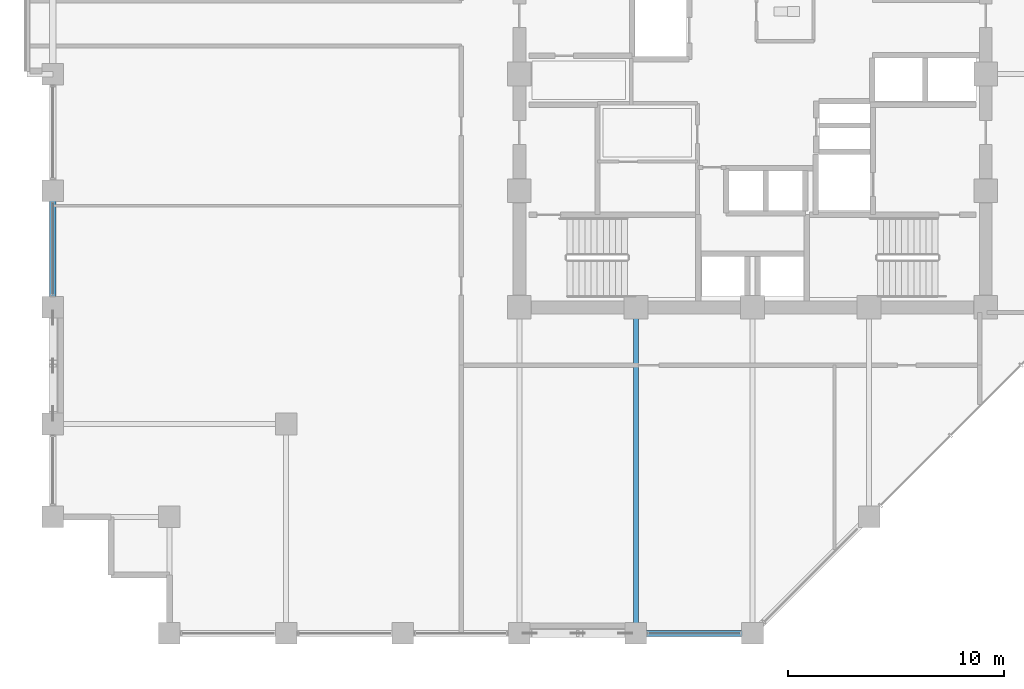
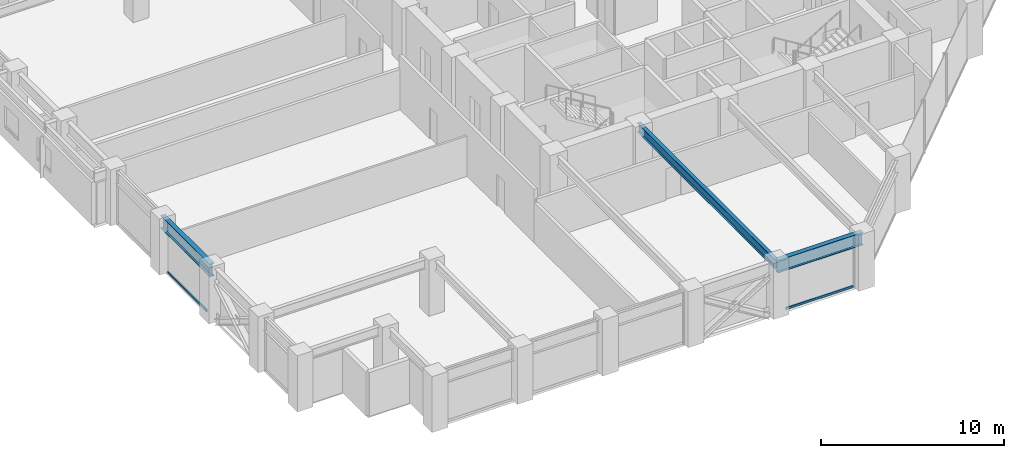
# One storey, part 5 of 26: 3 beams, 2 members, 2 elements without a shape of their own.
"""IFC4 building model written with IfcOpenShell, lengths in metres."""

from ifc_helpers import new_model, si_unit, direction, frame, origin, origin_2d, place, context, subcontext, project, spatial, hollow_rectangle, i_section, extrude, material, layer, layer_set, material_profile, profile_set, type_object, element, aggregate, save


model = new_model("IFC4")

# Units and contexts
model_context = context("Model", 3, precision=1e-05, world=origin(), true_north=direction((0.0, 1.0)))
body_context = subcontext(model_context, "Body", "Model", "MODEL_VIEW")
ifc_project = project(units=[si_unit("LENGTHUNIT", "METRE"), si_unit("AREAUNIT", "SQUARE_METRE"), si_unit("VOLUMEUNIT", "CUBIC_METRE"), si_unit("PLANEANGLEUNIT", "RADIAN"), si_unit("MASSUNIT", "GRAM", prefix="KILO")], contexts=[model_context])

# Site, building, storey
site_placement = place(None, origin())
site = spatial("IfcSite", under=ifc_project, at=site_placement, CompositionType="ELEMENT")
building_placement = place(site_placement, origin())
building = spatial("IfcBuilding", under=site, at=building_placement, Name="Surkhivell Harbour Commons", CompositionType="ELEMENT")
storey_placement = place(building_placement, frame((0.0, 0.0, 147.0)))
storey = spatial("IfcBuildingStorey", under=building, at=storey_placement, Name="L38", CompositionType="ELEMENT", Elevation=147.0)

# Beams
ifc_material_1 = material(Name="Steel S355", Category="steel")
ifc_material_profile_1 = material_profile(ifc_material_1, i_section(OverallWidth=0.22998046875, OverallDepth=0.616943359375, WebThickness=0.01318359375, FlangeThickness=0.022216796875, at=origin_2d()), Name="UB610x229x140")
ifc_profile_set_1 = profile_set([ifc_material_profile_1], Name="Steel S355")
beam_type_1 = type_object("IfcBeamType", Name="BM-GRD-610B", PredefinedType="BEAM", material=ifc_profile_set_1)
beam_1_placement = place(storey_placement, frame((-5.39990234375, -25.89990234375, 3.261474609375), z_axis=(0.0, 1.0, 0.0), x_axis=(-1.0, 0.0, 0.0)))
element("IfcBeam", 1, at=beam_1_placement, inside=storey, type_object=beam_type_1, Name="L38 Floor Girder (-5.4,-25.9)", PredefinedType="BEAM", context=body_context, shape_type="SweptSolid", body=[
    extrude(i_section(OverallWidth=0.22998046875, OverallDepth=0.616943359375, WebThickness=0.01318359375, FlangeThickness=0.022216796875, at=origin_2d()), origin(), (0.0, 0.0, 1.0), 15.099853515625),
])
ifc_material_2 = material(Name="Steel S460", Category="steel")
ifc_material_profile_2 = material_profile(ifc_material_2, i_section(OverallWidth=0.2939453125, OverallDepth=0.85107421875, WebThickness=0.01611328125, FlangeThickness=0.02685546875, at=origin_2d()), Name="UB838x292x226")
ifc_profile_set_2 = profile_set([ifc_material_profile_2], Name="Steel S460")
beam_type_2 = type_object("IfcBeamType", Name="BM-SPN-838", PredefinedType="SPANDREL", material=ifc_profile_set_2)
beam_2_placement = place(storey_placement, frame((-32.39990234375, -10.800048828125, 3.14453125), z_axis=(0.0, 1.0, 0.0), x_axis=(-1.0, 0.0, 0.0)))
element("IfcBeam", 2, at=beam_2_placement, inside=storey, type_object=beam_type_2, Name="L38 Tube Spandrel (-32.4,-10.8)", PredefinedType="SPANDREL", context=body_context, shape_type="SweptSolid", body=[
    extrude(i_section(OverallWidth=0.2939453125, OverallDepth=0.85107421875, WebThickness=0.01611328125, FlangeThickness=0.02685546875, at=origin_2d()), origin(), (0.0, 0.0, 1.0), 5.400146484375),
])
beam_3_placement = place(storey_placement, frame((-5.39990234375, -25.89990234375, 3.14453125), z_axis=(1.0, 0.0, 0.0), x_axis=(0.0, 1.0, 0.0)))
element("IfcBeam", 3, at=beam_3_placement, inside=storey, type_object=beam_type_2, Name="L38 Tube Spandrel (-5.4,-25.9)", PredefinedType="SPANDREL", context=body_context, shape_type="SweptSolid", body=[
    extrude(i_section(OverallWidth=0.2939453125, OverallDepth=0.85107421875, WebThickness=0.01611328125, FlangeThickness=0.02685546875, at=origin_2d()), origin(), (0.0, 0.0, 1.0), 5.39990234375),
])

# Curtain wall, member
ifc_material_3 = material(Name="Anodised pale-metal aluminium and insulated glazing", Category="aluminium")
ifc_layer = layer(ifc_material_3, 0.205078125)
ifc_layer_set = layer_set([ifc_layer], Name="Anodised pale-metal aluminium and insulated glazing")
curtain_wall_type = type_object("IfcCurtainWallType", Name="CW-SYS-Z2", PredefinedType="NOTDEFINED", material=ifc_layer_set)
curtain_wall_1_placement = place(storey_placement, origin())
curtain_wall_1 = element("IfcCurtainWall", 4, at=curtain_wall_1_placement, inside=storey, type_object=curtain_wall_type, Name="L38 Curtain Wall CW-L38-E00S2", PredefinedType="NOTDEFINED")
ifc_material_4 = material(Name="Anodised pale-metal aluminium alloy 6063-T6", Category="aluminium")
ifc_material_profile_3 = material_profile(ifc_material_4, hollow_rectangle(XDim=0.074951171875, YDim=0.14990234375, WallThickness=0.00341796875, at=origin_2d()), Name="ALU-TRAN-75x150")
ifc_profile_set_3 = profile_set([ifc_material_profile_3], Name="Anodised pale-metal aluminium alloy 6063-T6")
member_type = type_object("IfcMemberType", Name="CWT-150", PredefinedType="USERDEFINED", material=ifc_profile_set_3)
member_1_placement = place(storey_placement, frame((-4.822998046875, -25.89990234375, 0.074951171875), z_axis=(1.0, 0.0, 0.0), x_axis=(0.0, 1.0, 0.0)))
member_1 = element("IfcMember", 5, at=member_1_placement, type_object=member_type, Name="CW-Z2 transom 1.1", ObjectType="TRANSOM", PredefinedType="USERDEFINED", context=body_context, shape_type="SweptSolid", body=[
    extrude(hollow_rectangle(XDim=0.074951171875, YDim=0.14990234375, WallThickness=0.00341796875, at=origin_2d()), origin(), (0.0, 0.0, 1.0), 4.24609375),
])
aggregate(curtain_wall_1, [member_1])

curtain_wall_2_placement = place(storey_placement, origin())
curtain_wall_2 = element("IfcCurtainWall", 6, at=curtain_wall_2_placement, inside=storey, type_object=curtain_wall_type, Name="L38 Curtain Wall CW-L38-E12R1S2", PredefinedType="NOTDEFINED")
member_2_placement = place(storey_placement, frame((-32.39990234375, -10.222900390625, 0.074951171875), z_axis=(0.0, 1.0, 0.0), x_axis=(-1.0, 0.0, 0.0)))
member_2 = element("IfcMember", 7, at=member_2_placement, type_object=member_type, Name="CW-Z2 transom 1.1", ObjectType="TRANSOM", PredefinedType="USERDEFINED", context=body_context, shape_type="SweptSolid", body=[
    extrude(hollow_rectangle(XDim=0.074951171875, YDim=0.14990234375, WallThickness=0.00341796875, at=origin_2d()), origin(), (0.0, 0.0, 1.0), 4.245849609375),
])
aggregate(curtain_wall_2, [member_2])

save(model, "model.ifc")
